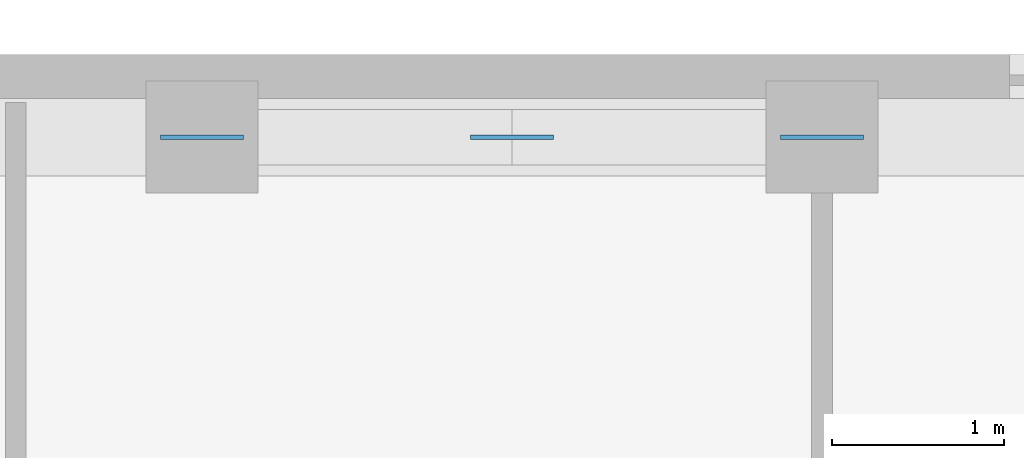
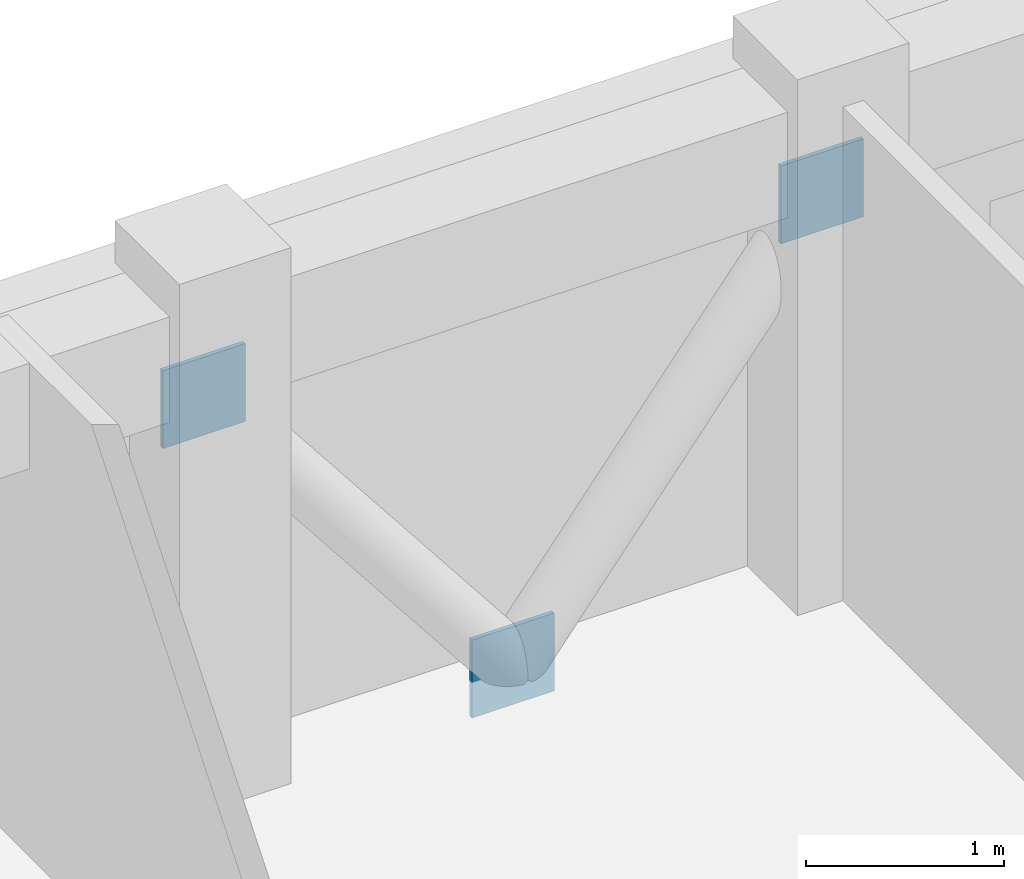
# One storey, part 11 of 13: 3 discrete accessories.
"""IFC4 building model written with IfcOpenShell, lengths in metres."""

from ifc_helpers import new_model, si_unit, derived_unit, direction, frame, origin, origin_2d, place, context, subcontext, project, spatial, rectangle, extrude, material, layer, layer_set, type_object, element, save


model = new_model("IFC4")

# Units and contexts
model_context = context("Model", 3, precision=1e-05, world=origin(), true_north=direction((0.0, 1.0)))
body_context = subcontext(model_context, "Body", "Model", "MODEL_VIEW")
ifc_project = project(units=[si_unit("LENGTHUNIT", "METRE"), si_unit("AREAUNIT", "SQUARE_METRE"), si_unit("VOLUMEUNIT", "CUBIC_METRE"), si_unit("PLANEANGLEUNIT", "RADIAN"), si_unit("MASSUNIT", "GRAM", prefix="KILO"), derived_unit("THERMALTRANSMITTANCEUNIT", [(si_unit("MASSUNIT", "GRAM", prefix="KILO"), 1), (si_unit("TIMEUNIT", "SECOND"), -3), (si_unit("THERMODYNAMICTEMPERATUREUNIT", "KELVIN"), -1)])], contexts=[model_context])

# Site, building, storey
site_placement = place(None, origin())
site = spatial("IfcSite", under=ifc_project, at=site_placement, CompositionType="ELEMENT")
building_placement = place(site_placement, origin())
building = spatial("IfcBuilding", under=site, at=building_placement, Name="Korrvale Station Residences", CompositionType="ELEMENT")
storey_placement = place(building_placement, frame((0.0, 0.0, 177.699951171875)))
storey = spatial("IfcBuildingStorey", under=building, at=storey_placement, Name="L51", CompositionType="ELEMENT", Elevation=177.699951171875)

# Discrete accessories
ifc_material = material(Name="Steel S355", Category="steel")
ifc_layer = layer(ifc_material, 0.02490234375, Name="Steel S355")
ifc_layer_set = layer_set([ifc_layer], Name="Steel S355")
discrete_accessory_type = type_object("IfcDiscreteAccessoryType", Name="ACC-GUSSET-25", PredefinedType="BRACKET", material=ifc_layer_set)
for number, where, z_axis, x_axis, name in (
    (1, (25.0, 39.719970703125, -0.219970703125), (0.0, 0.0, 1.0), (1.0, 0.0, 0.0), "L51 N Brace End Gusset Connection M"),
    (2, (23.199951171875, 39.719970703125, 2.070068359375), (0.0, 0.0, 1.0), (1.0, 0.0, 0.0), "L51 N Brace End Gusset Connection A"),
    (3, (26.800048828125, 39.719970703125, 2.070068359375), (0.0, 0.0, 1.0), (1.0, 0.0, 0.0), "L51 N Brace End Gusset Connection B"),
):
    element("IfcDiscreteAccessory", number, at=place(storey_placement, frame(where, z_axis=z_axis, x_axis=x_axis)), inside=storey, type_object=discrete_accessory_type, Name=name, PredefinedType="BRACKET", context=body_context, shape_type="SweptSolid", body=[
        extrude(rectangle(XDim=0.47998046875, YDim=0.02490234375, at=origin_2d()), origin(), (0.0, 0.0, 1.0), 0.47998046875),
    ])

save(model, "model.ifc")
